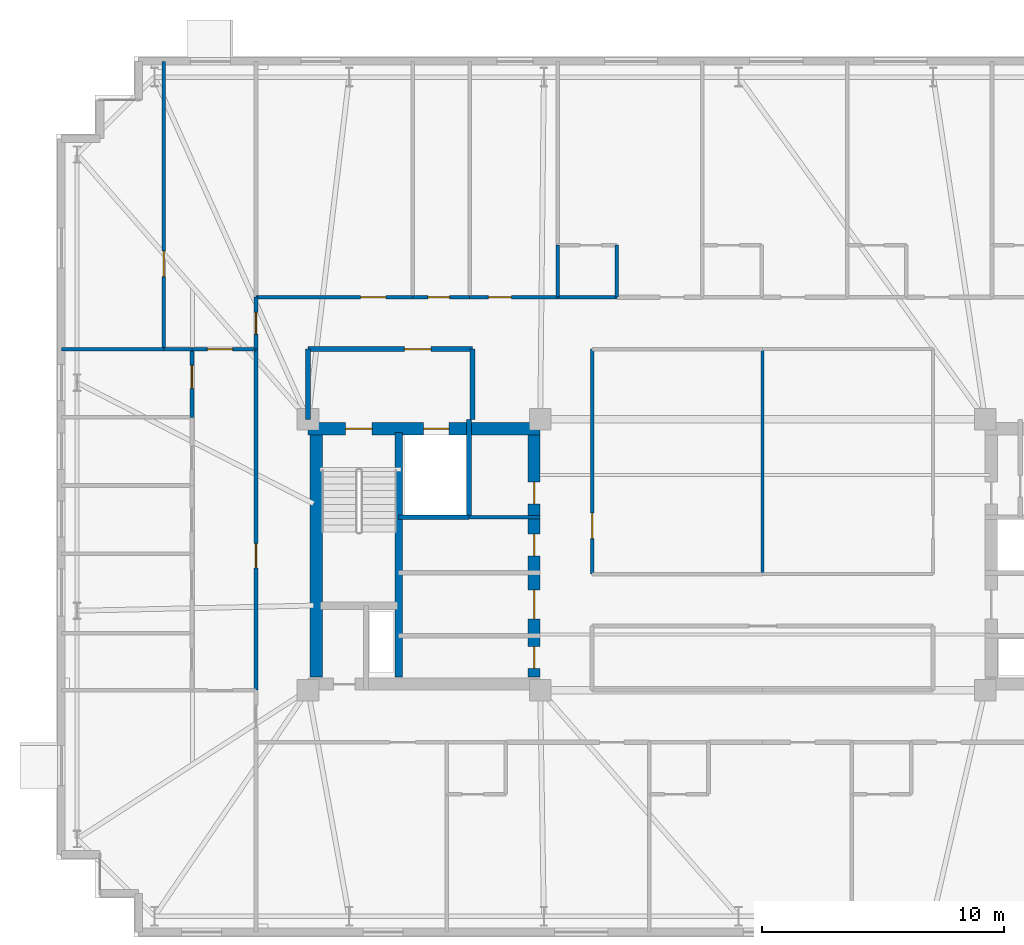
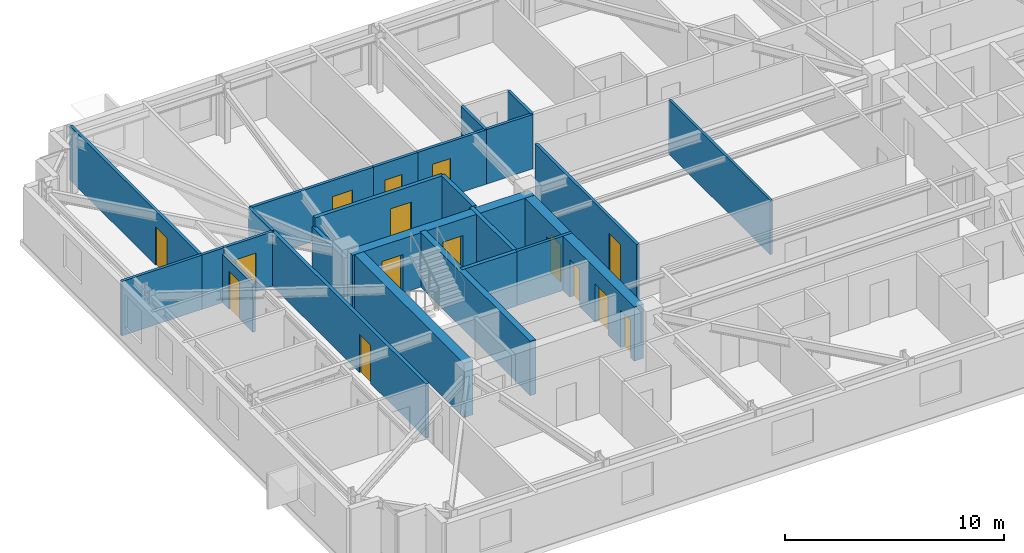
# One storey, part 12 of 19: 25 walls, 16 doors, 16 openings.
"""IFC4 building model written with IfcOpenShell, lengths in metres."""

from ifc_helpers import new_model, si_unit, direction, frame, frame_2d, origin, place, context, subcontext, project, spatial, rectangle, extrude, material, layer, layer_set, type_object, element, fill, save


model = new_model("IFC4")

# Units and contexts
model_context = context("Model", 3, precision=1e-05, world=origin(), true_north=direction((0.0, 1.0)))
body_context = subcontext(model_context, "Body", "Model", "MODEL_VIEW")
ifc_project = project(units=[si_unit("LENGTHUNIT", "METRE"), si_unit("AREAUNIT", "SQUARE_METRE"), si_unit("VOLUMEUNIT", "CUBIC_METRE"), si_unit("PLANEANGLEUNIT", "RADIAN"), si_unit("MASSUNIT", "GRAM", prefix="KILO")], contexts=[model_context])

# Site, building, storey
site_placement = place(None, origin())
site = spatial("IfcSite", under=ifc_project, at=site_placement, CompositionType="ELEMENT")
building_placement = place(site_placement, origin())
building = spatial("IfcBuilding", under=site, at=building_placement, Name="Qobustan Lattice House", CompositionType="ELEMENT")
storey_placement = place(building_placement, frame((0.0, 0.0, 137.699951171875)))
storey = spatial("IfcBuildingStorey", under=building, at=storey_placement, Name="L38", CompositionType="ELEMENT", Elevation=137.699951171875)

# Wall, openings, doors
ifc_material_1 = material(Name="Concrete C50/60", Category="concrete")
ifc_layer_1 = layer(ifc_material_1, 0.5)
ifc_layer_set_1 = layer_set([ifc_layer_1], Name="Concrete C50/60")
wall_type_1 = type_object("IfcWallType", Name="WAL-CORE-500", PredefinedType="SHEAR", material=ifc_layer_set_1)
wall_1_placement = place(storey_placement, frame((-18.800048828125, 5.2099609375, 0.0), z_axis=(0.0, 0.0, 1.0), x_axis=(1.0, 0.0, 0.0)))
wall_1 = element("IfcWall", 1, at=wall_1_placement, inside=storey, type_object=wall_type_1, Name="L38 split-core shear wall CW-N", PredefinedType="SHEAR", context=body_context, shape_type="SweptSolid", body=[
    extrude(rectangle(XDim=9.60009765625, YDim=0.5, at=frame_2d((4.800048828125, 0.0))), origin(), (0.0, 0.0, 1.0), 3.0400390625),
])
opening_1_placement = place(wall_1_placement, frame((1.550048828125, 0.0, 0.0)))
opening_1 = element("IfcOpeningElement", 2, at=opening_1_placement, cuts=wall_1, Name="Opening SD-01", PredefinedType="OPENING", context=body_context, shape_type="SweptSolid", body=[
    extrude(rectangle(XDim=1.10009765625, YDim=2.14990234375, at=frame_2d((0.550048828125, 1.074951171875))), frame((0.0, 0.260009765625, 0.0), z_axis=(0.0, -1.0, 0.0), x_axis=(1.0, 0.0, 0.0)), (0.0, 0.0, 1.0), 0.52001953125),
])
opening_2_placement = place(wall_1_placement, frame((4.77490234375, 0.0, 0.0)))
opening_2 = element("IfcOpeningElement", 3, at=opening_2_placement, cuts=wall_1, Name="Opening LD-01", PredefinedType="OPENING", context=body_context, shape_type="SweptSolid", body=[
    extrude(rectangle(XDim=1.050048828125, YDim=2.10009765625, at=frame_2d((0.52490234375, 1.050048828125))), frame((0.0, 0.260009765625, 0.0), z_axis=(0.0, -1.0, 0.0), x_axis=(1.0, 0.0, 0.0)), (0.0, 0.0, 1.0), 0.52001953125),
])
ifc_material_2 = material(Name="Persian walnut timber and steel frame door", Category="steel")
door_type_1 = type_object("IfcDoorType", Name="DOR-LIFT-LD-1050x2100", OperationType="NOTDEFINED", PredefinedType="DOOR", material=ifc_material_2)
door_1_placement = place(opening_2_placement, origin())
door_1 = element("IfcDoor", 4, at=door_1_placement, inside=storey, type_object=door_type_1, Name="L38 firefighting lift FF-W landing door", OperationType="DOUBLE_DOOR_SLIDING", OverallHeight=2.10009765625, OverallWidth=1.050048828125, PredefinedType="DOOR", context=body_context, shape_type="SweptSolid", body=[
    extrude(rectangle(XDim=1.050048828125, YDim=2.10009765625, at=frame_2d((0.52490234375, 1.050048828125))), frame((0.0, 0.02490234375, 0.0), z_axis=(0.0, -1.0, 0.0), x_axis=(1.0, 0.0, 0.0)), (0.0, 0.0, 1.0), 0.050048828125),
])
fill(opening_2, door_1)
ifc_material_3 = material(Name="Persian walnut timber and steel frame door", Category="steel")
door_type_2 = type_object("IfcDoorType", Name="DOR-STAIR-FD-1100x2150", OperationType="NOTDEFINED", PredefinedType="DOOR", material=ifc_material_3)
door_2_placement = place(opening_1_placement, origin())
door_2 = element("IfcDoor", 5, at=door_2_placement, inside=storey, type_object=door_type_2, Name="L38 exit stair ST-W1 fire door", OperationType="SINGLE_SWING_LEFT", OverallHeight=2.14990234375, OverallWidth=1.10009765625, PredefinedType="DOOR", context=body_context, shape_type="SweptSolid", body=[
    extrude(rectangle(XDim=1.10009765625, YDim=2.14990234375, at=frame_2d((0.550048828125, 1.074951171875))), frame((0.0, 0.02490234375, 0.0), z_axis=(0.0, -1.0, 0.0), x_axis=(1.0, 0.0, 0.0)), (0.0, 0.0, 1.0), 0.050048828125),
])
fill(opening_1, door_2)

# Wall
wall_2_placement = place(storey_placement, frame((-18.4599609375, -5.050048828125, 0.0), z_axis=(0.0, 0.0, 1.0), x_axis=(0.0, 1.0, 0.0)))
element("IfcWall", 6, at=wall_2_placement, inside=storey, type_object=wall_type_1, Name="L38 split-core shear wall CW-W", PredefinedType="SHEAR", context=body_context, shape_type="SweptSolid", body=[
    extrude(rectangle(XDim=10.10009765625, YDim=0.5, at=frame_2d((5.050048828125, 0.0))), origin(), (0.0, 0.0, 1.0), 3.0400390625),
])

# Wall, openings, doors
wall_3_placement = place(storey_placement, frame((-9.449951171875, -5.050048828125, 0.0), z_axis=(0.0, 0.0, 1.0), x_axis=(0.0, 1.0, 0.0)))
wall_3 = element("IfcWall", 7, at=wall_3_placement, inside=storey, type_object=wall_type_1, Name="L38 split-core shear wall CW-E", PredefinedType="SHEAR", context=body_context, shape_type="SweptSolid", body=[
    extrude(rectangle(XDim=10.10009765625, YDim=0.5, at=frame_2d((5.050048828125, 0.0))), origin(), (0.0, 0.0, 1.0), 3.0400390625),
])
opening_3_placement = place(wall_3_placement, frame((7.14990234375, 0.0, 0.0)))
opening_3 = element("IfcOpeningElement", 8, at=opening_3_placement, cuts=wall_3, Name="Opening RD-01", PredefinedType="OPENING", context=body_context, shape_type="SweptSolid", body=[
    extrude(rectangle(XDim=0.89990234375, YDim=2.10009765625, at=frame_2d((0.449951171875, 1.050048828125))), frame((0.0, 0.260009765625, 0.0), z_axis=(0.0, -1.0, 0.0), x_axis=(1.0, 0.0, 0.0)), (0.0, 0.0, 1.0), 0.52001953125),
])
opening_4_placement = place(wall_3_placement, frame((2.39990234375, 0.0, 0.0)))
opening_4 = element("IfcOpeningElement", 9, at=opening_4_placement, cuts=wall_3, Name="Opening FD-01", PredefinedType="OPENING", context=body_context, shape_type="SweptSolid", body=[
    extrude(rectangle(XDim=1.199951171875, YDim=2.14990234375, at=frame_2d((0.60009765625, 1.074951171875))), frame((0.0, 0.260009765625, 0.0), z_axis=(0.0, -1.0, 0.0), x_axis=(1.0, 0.0, 0.0)), (0.0, 0.0, 1.0), 0.52001953125),
])
opening_5_placement = place(wall_3_placement, frame((0.35009765625, 0.0, 0.0)))
opening_5 = element("IfcOpeningElement", 10, at=opening_5_placement, cuts=wall_3, Name="Opening RD-01", PredefinedType="OPENING", context=body_context, shape_type="SweptSolid", body=[
    extrude(rectangle(XDim=0.89990234375, YDim=2.10009765625, at=frame_2d((0.449951171875, 1.050048828125))), frame((0.0, 0.260009765625, 0.0), z_axis=(0.0, -1.0, 0.0), x_axis=(1.0, 0.0, 0.0)), (0.0, 0.0, 1.0), 0.52001953125),
])
opening_6_placement = place(wall_3_placement, frame((5.0, 0.0, 0.0)))
opening_6 = element("IfcOpeningElement", 11, at=opening_6_placement, cuts=wall_3, Name="Opening RD-01", PredefinedType="OPENING", context=body_context, shape_type="SweptSolid", body=[
    extrude(rectangle(XDim=0.89990234375, YDim=2.10009765625, at=frame_2d((0.449951171875, 1.050048828125))), frame((0.0, 0.260009765625, 0.0), z_axis=(0.0, -1.0, 0.0), x_axis=(1.0, 0.0, 0.0)), (0.0, 0.0, 1.0), 0.52001953125),
])
ifc_material_4 = material(Name="Persian walnut timber and steel frame door", Category="steel")
door_type_3 = type_object("IfcDoorType", Name="DOR-LOBBY-FD-1200x2150", OperationType="NOTDEFINED", PredefinedType="DOOR", material=ifc_material_4)
door_3_placement = place(opening_4_placement, origin())
door_3 = element("IfcDoor", 12, at=door_3_placement, inside=storey, type_object=door_type_3, Name="L38 West core foyer fire door", OperationType="SINGLE_SWING_LEFT", OverallHeight=2.14990234375, OverallWidth=1.199951171875, PredefinedType="DOOR", context=body_context, shape_type="SweptSolid", body=[
    extrude(rectangle(XDim=1.199951171875, YDim=2.14990234375, at=frame_2d((0.60009765625, 1.074951171875))), frame((0.0, 0.02490234375, 0.0), z_axis=(0.0, -1.0, 0.0), x_axis=(1.0, 0.0, 0.0)), (0.0, 0.0, 1.0), 0.050048828125),
])
fill(opening_4, door_3)
ifc_material_5 = material(Name="Persian walnut timber and steel frame door", Category="steel")
door_type_4 = type_object("IfcDoorType", Name="DOR-RISER-FD-900x2100", OperationType="NOTDEFINED", PredefinedType="DOOR", material=ifc_material_5)
door_4_placement = place(opening_3_placement, origin())
door_4 = element("IfcDoor", 13, at=door_4_placement, inside=storey, type_object=door_type_4, Name="L38 Floor tea pantry fire door", OperationType="SINGLE_SWING_RIGHT", OverallHeight=2.10009765625, OverallWidth=0.89990234375, PredefinedType="DOOR", context=body_context, shape_type="SweptSolid", body=[
    extrude(rectangle(XDim=0.89990234375, YDim=2.10009765625, at=frame_2d((0.449951171875, 1.050048828125))), frame((0.0, 0.02490234375, 0.0), z_axis=(0.0, -1.0, 0.0), x_axis=(1.0, 0.0, 0.0)), (0.0, 0.0, 1.0), 0.050048828125),
])
fill(opening_3, door_4)
door_5_placement = place(opening_5_placement, origin())
door_5 = element("IfcDoor", 14, at=door_5_placement, inside=storey, type_object=door_type_4, Name="L38 Tutorial seminar salon fire door", OperationType="SINGLE_SWING_RIGHT", OverallHeight=2.10009765625, OverallWidth=0.89990234375, PredefinedType="DOOR", context=body_context, shape_type="SweptSolid", body=[
    extrude(rectangle(XDim=0.89990234375, YDim=2.10009765625, at=frame_2d((0.449951171875, 1.050048828125))), frame((0.0, 0.02490234375, 0.0), z_axis=(0.0, -1.0, 0.0), x_axis=(1.0, 0.0, 0.0)), (0.0, 0.0, 1.0), 0.050048828125),
])
fill(opening_5, door_5)
door_6_placement = place(opening_6_placement, origin())
door_6 = element("IfcDoor", 15, at=door_6_placement, inside=storey, type_object=door_type_4, Name="L38 Copy and tea hub fire door", OperationType="SINGLE_SWING_LEFT", OverallHeight=2.10009765625, OverallWidth=0.89990234375, PredefinedType="DOOR", context=body_context, shape_type="SweptSolid", body=[
    extrude(rectangle(XDim=0.89990234375, YDim=2.10009765625, at=frame_2d((0.449951171875, 1.050048828125))), frame((0.0, 0.02490234375, 0.0), z_axis=(0.0, -1.0, 0.0), x_axis=(1.0, 0.0, 0.0)), (0.0, 0.0, 1.0), 0.050048828125),
])
fill(opening_6, door_6)

# Wall
ifc_material_6 = material(Name="Concrete C50/60", Category="concrete")
ifc_layer_2 = layer(ifc_material_6, 0.280029296875)
ifc_layer_set_2 = layer_set([ifc_layer_2], Name="Concrete C50/60")
wall_type_2 = type_object("IfcWallType", Name="WAL-CORE-SPINE-280", PredefinedType="SHEAR", material=ifc_layer_set_2)
wall_4_placement = place(storey_placement, frame((-15.050048828125, -5.050048828125, 0.0), z_axis=(0.0, 0.0, 1.0), x_axis=(0.0, 1.0, 0.0)))
element("IfcWall", 16, at=wall_4_placement, inside=storey, type_object=wall_type_2, Name="L38 split-core shear wall CW-M", PredefinedType="SHEAR", context=body_context, shape_type="SweptSolid", body=[
    extrude(rectangle(XDim=10.10009765625, YDim=0.300048828125, at=frame_2d((5.050048828125, 0.0))), origin(), (0.0, 0.0, 1.0), 3.0400390625),
])

# Wall, opening, door
ifc_material_7 = material(Name="Gypsum fireboard acoustic partition", Category="gypsum")
ifc_layer_3 = layer(ifc_material_7, 0.179931640625)
ifc_layer_set_3 = layer_set([ifc_layer_3], Name="Gypsum fireboard acoustic partition")
wall_type_3 = type_object("IfcWallType", Name="WAL-FIRE-180", PredefinedType="PARTITIONING", material=ifc_layer_set_3)
wall_5_placement = place(storey_placement, frame((-20.949951171875, -5.60009765625, 0.0), z_axis=(0.0, 0.0, 1.0), x_axis=(0.0, 1.0, 0.0)))
wall_5 = element("IfcWall", 17, at=wall_5_placement, inside=storey, type_object=wall_type_3, Name="L38 interior partition 60", PredefinedType="PARTITIONING", context=body_context, shape_type="SweptSolid", body=[
    extrude(rectangle(XDim=14.10009765625, YDim=0.179931640625, at=frame_2d((7.050048828125, 0.0))), origin(), (0.0, 0.0, 1.0), 3.0400390625),
])
opening_7_placement = place(wall_5_placement, frame((5.0576171875, 0.0, 0.0)))
opening_7 = element("IfcOpeningElement", 18, at=opening_7_placement, cuts=wall_5, Name="Opening FD-02", PredefinedType="OPENING", context=body_context, shape_type="SweptSolid", body=[
    extrude(rectangle(XDim=1.0, YDim=2.14990234375, at=frame_2d((0.5, 1.074951171875))), frame((0.0, 0.099853515625, 0.0), z_axis=(0.0, -1.0, 0.0), x_axis=(1.0, 0.0, 0.0)), (0.0, 0.0, 1.0), 0.199951171875),
])
ifc_material_8 = material(Name="Persian walnut timber and steel frame door", Category="steel")
door_type_5 = type_object("IfcDoorType", Name="DOR-UNIT-FD-1000x2150", OperationType="NOTDEFINED", PredefinedType="DOOR", material=ifc_material_8)
door_7_placement = place(opening_7_placement, origin())
door_7 = element("IfcDoor", 19, at=door_7_placement, inside=storey, type_object=door_type_5, Name="L38 West wing spine gallery to Residence entrance hall L38W door", OperationType="SINGLE_SWING_LEFT", OverallHeight=2.14990234375, OverallWidth=1.0, PredefinedType="DOOR", context=body_context, shape_type="SweptSolid", body=[
    extrude(rectangle(XDim=1.0, YDim=2.14990234375, at=frame_2d((0.5, 1.074951171875))), frame((0.0, 0.02490234375, 0.0), z_axis=(0.0, -1.0, 0.0), x_axis=(1.0, 0.0, 0.0)), (0.0, 0.0, 1.0), 0.050048828125),
])
fill(opening_7, door_7)

# Walls
ifc_material_9 = material(Name="Lightweight acoustic stud partition", Category="gypsum")
ifc_layer_4 = layer(ifc_material_9, 0.125)
ifc_layer_set_4 = layer_set([ifc_layer_4], Name="Lightweight acoustic stud partition")
wall_type_4 = type_object("IfcWallType", Name="WAL-PART-125", PredefinedType="PARTITIONING", material=ifc_layer_set_4)
wall_6_placement = place(storey_placement, frame((0.0, 8.5, 0.0), z_axis=(0.0, 0.0, 1.0), x_axis=(0.0, -1.0, 0.0)))
element("IfcWall", 20, at=wall_6_placement, inside=storey, type_object=wall_type_4, Name="L38 interior partition 133", PredefinedType="PARTITIONING", context=body_context, shape_type="SweptSolid", body=[
    extrude(rectangle(XDim=9.300048828125, YDim=0.125, at=frame_2d((4.64990234375, 0.0))), origin(), (0.0, 0.0, 1.0), 3.0400390625),
])
ifc_material_10 = material(Name="Acoustic twin-stud gypsum partition", Category="gypsum")
ifc_layer_5 = layer(ifc_material_10, 0.14990234375)
ifc_layer_set_5 = layer_set([ifc_layer_5], Name="Acoustic twin-stud gypsum partition")
wall_type_5 = type_object("IfcWallType", Name="WAL-PART-150", PredefinedType="PARTITIONING", material=ifc_layer_set_5)
wall_7_placement = place(storey_placement, frame((-12.14990234375, 1.550048828125, 0.0), z_axis=(0.0, 0.0, 1.0), x_axis=(1.0, 0.0, 0.0)))
element("IfcWall", 21, at=wall_7_placement, inside=storey, type_object=wall_type_5, Name="L38 interior partition 6", PredefinedType="PARTITIONING", context=body_context, shape_type="SweptSolid", body=[
    extrude(rectangle(XDim=2.949951171875, YDim=0.14990234375, at=frame_2d((1.47509765625, 0.0))), origin(), (0.0, 0.0, 1.0), 3.0400390625),
])

# Wall, opening, door
wall_8_placement = place(storey_placement, frame((-20.949951171875, 8.5, 0.0), z_axis=(0.0, 0.0, 1.0), x_axis=(0.0, 1.0, 0.0)))
wall_8 = element("IfcWall", 22, at=wall_8_placement, inside=storey, type_object=wall_type_5, Name="L38 interior partition 31", PredefinedType="PARTITIONING", context=body_context, shape_type="SweptSolid", body=[
    extrude(rectangle(XDim=2.14990234375, YDim=0.14990234375, at=frame_2d((1.074951171875, 0.0))), origin(), (0.0, 0.0, 1.0), 3.0400390625),
])
opening_8_placement = place(wall_8_placement, frame((0.625, 0.0, 0.0)))
opening_8 = element("IfcOpeningElement", 23, at=opening_8_placement, cuts=wall_8, Name="Opening WD-01", PredefinedType="OPENING", context=body_context, shape_type="SweptSolid", body=[
    extrude(rectangle(XDim=0.89990234375, YDim=2.10009765625, at=frame_2d((0.449951171875, 1.050048828125))), frame((0.0, 0.0849609375, 0.0), z_axis=(0.0, -1.0, 0.0), x_axis=(1.0, 0.0, 0.0)), (0.0, 0.0, 1.0), 0.169921875),
])
ifc_material_11 = material(Name="Persian walnut timber and steel frame door", Category="steel")
door_type_6 = type_object("IfcDoorType", Name="DOR-WET-900x2100", OperationType="NOTDEFINED", PredefinedType="DOOR", material=ifc_material_11)
door_8_placement = place(opening_8_placement, origin())
door_8 = element("IfcDoor", 24, at=door_8_placement, inside=storey, type_object=door_type_6, Name="L38 North-west floor corridor to Reading seminar room L38WN door", OperationType="SINGLE_SWING_RIGHT", OverallHeight=2.10009765625, OverallWidth=0.89990234375, PredefinedType="DOOR", context=body_context, shape_type="SweptSolid", body=[
    extrude(rectangle(XDim=0.89990234375, YDim=2.10009765625, at=frame_2d((0.449951171875, 1.050048828125))), frame((0.0, 0.02490234375, 0.0), z_axis=(0.0, -1.0, 0.0), x_axis=(1.0, 0.0, 0.0)), (0.0, 0.0, 1.0), 0.050048828125),
])
fill(opening_8, door_8)

wall_9_placement = place(storey_placement, frame((-20.949951171875, 10.64990234375, 0.0), z_axis=(0.0, 0.0, 1.0), x_axis=(1.0, 0.0, 0.0)))
wall_9 = element("IfcWall", 25, at=wall_9_placement, inside=storey, type_object=wall_type_5, Name="L38 interior partition 32", PredefinedType="PARTITIONING", context=body_context, shape_type="SweptSolid", body=[
    extrude(rectangle(XDim=6.48583984375, YDim=0.14990234375, at=frame_2d((3.242919921875, 0.0))), origin(), (0.0, 0.0, 1.0), 3.0400390625),
])
opening_9_placement = place(wall_9_placement, frame((4.321533203125, 0.0, 0.0)))
opening_9 = element("IfcOpeningElement", 26, at=opening_9_placement, cuts=wall_9, Name="Opening ID-02", PredefinedType="OPENING", context=body_context, shape_type="SweptSolid", body=[
    extrude(rectangle(XDim=1.050048828125, YDim=2.14990234375, at=frame_2d((0.52490234375, 1.074951171875))), frame((0.0, 0.0849609375, 0.0), z_axis=(0.0, -1.0, 0.0), x_axis=(1.0, 0.0, 0.0)), (0.0, 0.0, 1.0), 0.169921875),
])
ifc_material_12 = material(Name="Persian walnut timber and steel frame door", Category="steel")
door_type_7 = type_object("IfcDoorType", Name="DOR-STUDY-1050x2150", OperationType="NOTDEFINED", PredefinedType="DOOR", material=ifc_material_12)
door_9_placement = place(opening_9_placement, origin())
door_9 = element("IfcDoor", 27, at=door_9_placement, inside=storey, type_object=door_type_7, Name="L38 North-west floor corridor to Focus study room N1 door", OperationType="SINGLE_SWING_LEFT", OverallHeight=2.14990234375, OverallWidth=1.050048828125, PredefinedType="DOOR", context=body_context, shape_type="SweptSolid", body=[
    extrude(rectangle(XDim=1.050048828125, YDim=2.14990234375, at=frame_2d((0.52490234375, 1.074951171875))), frame((0.0, 0.02490234375, 0.0), z_axis=(0.0, -1.0, 0.0), x_axis=(1.0, 0.0, 0.0)), (0.0, 0.0, 1.0), 0.050048828125),
])
fill(opening_9, door_9)

wall_10_placement = place(storey_placement, frame((-12.114013671875, 10.64990234375, 0.0), z_axis=(0.0, 0.0, 1.0), x_axis=(1.0, 0.0, 0.0)))
wall_10 = element("IfcWall", 28, at=wall_10_placement, inside=storey, type_object=wall_type_5, Name="L38 interior partition 34", PredefinedType="PARTITIONING", context=body_context, shape_type="SweptSolid", body=[
    extrude(rectangle(XDim=3.635009765625, YDim=0.14990234375, at=frame_2d((1.8173828125, 0.0))), origin(), (0.0, 0.0, 1.0), 3.0400390625),
])
opening_10_placement = place(wall_10_placement, frame((0.7705078125, 0.0, 0.0)))
opening_10 = element("IfcOpeningElement", 29, at=opening_10_placement, cuts=wall_10, Name="Opening ID-01", PredefinedType="OPENING", context=body_context, shape_type="SweptSolid", body=[
    extrude(rectangle(XDim=0.949951171875, YDim=2.10009765625, at=frame_2d((0.47509765625, 1.050048828125))), frame((0.0, 0.0849609375, 0.0), z_axis=(0.0, -1.0, 0.0), x_axis=(1.0, 0.0, 0.0)), (0.0, 0.0, 1.0), 0.169921875),
])
ifc_material_13 = material(Name="Persian walnut timber and steel frame door", Category="steel")
door_type_8 = type_object("IfcDoorType", Name="DOR-ROOM-950x2100", OperationType="NOTDEFINED", PredefinedType="DOOR", material=ifc_material_13)
door_10_placement = place(opening_10_placement, origin())
door_10 = element("IfcDoor", 30, at=door_10_placement, inside=storey, type_object=door_type_8, Name="L38 North-west floor corridor to Laundry utility room door", OperationType="SINGLE_SWING_LEFT", OverallHeight=2.10009765625, OverallWidth=0.949951171875, PredefinedType="DOOR", context=body_context, shape_type="SweptSolid", body=[
    extrude(rectangle(XDim=0.949951171875, YDim=2.10009765625, at=frame_2d((0.47509765625, 1.050048828125))), frame((0.0, 0.02490234375, 0.0), z_axis=(0.0, -1.0, 0.0), x_axis=(1.0, 0.0, 0.0)), (0.0, 0.0, 1.0), 0.050048828125),
])
fill(opening_10, door_10)

wall_11_placement = place(storey_placement, frame((-7.050048828125, 8.5, 0.0), z_axis=(0.0, 0.0, 1.0), x_axis=(0.0, -1.0, 0.0)))
wall_11 = element("IfcWall", 31, at=wall_11_placement, inside=storey, type_object=wall_type_5, Name="L38 interior partition 65", PredefinedType="PARTITIONING", context=body_context, shape_type="SweptSolid", body=[
    extrude(rectangle(XDim=9.300048828125, YDim=0.14990234375, at=frame_2d((4.64990234375, 0.0))), origin(), (0.0, 0.0, 1.0), 3.0400390625),
])
opening_11_placement = place(wall_11_placement, frame((6.78369140625, 0.0, 0.0)))
opening_11 = element("IfcOpeningElement", 32, at=opening_11_placement, cuts=wall_11, Name="Opening ID-02", PredefinedType="OPENING", context=body_context, shape_type="SweptSolid", body=[
    extrude(rectangle(XDim=1.050048828125, YDim=2.14990234375, at=frame_2d((0.52490234375, 1.074951171875))), frame((0.0, 0.0849609375, 0.0), z_axis=(0.0, -1.0, 0.0), x_axis=(1.0, 0.0, 0.0)), (0.0, 0.0, 1.0), 0.169921875),
])
door_11_placement = place(opening_11_placement, origin())
door_11 = element("IfcDoor", 33, at=door_11_placement, inside=storey, type_object=door_type_7, Name="L38 West floor link corridor to Central study commons door", OperationType="SINGLE_SWING_RIGHT", OverallHeight=2.14990234375, OverallWidth=1.050048828125, PredefinedType="DOOR", context=body_context, shape_type="SweptSolid", body=[
    extrude(rectangle(XDim=1.050048828125, YDim=2.14990234375, at=frame_2d((0.52490234375, 1.074951171875))), frame((0.0, 0.02490234375, 0.0), z_axis=(0.0, -1.0, 0.0), x_axis=(1.0, 0.0, 0.0)), (0.0, 0.0, 1.0), 0.050048828125),
])
fill(opening_11, door_11)

wall_12_placement = place(storey_placement, frame((-23.60009765625, 8.5, 0.0), z_axis=(0.0, 0.0, 1.0), x_axis=(1.0, 0.0, 0.0)))
wall_12 = element("IfcWall", 34, at=wall_12_placement, inside=storey, type_object=wall_type_5, Name="L38 interior partition 69", PredefinedType="PARTITIONING", context=body_context, shape_type="SweptSolid", body=[
    extrude(rectangle(XDim=2.650146484375, YDim=0.14990234375, at=frame_2d((1.3251953125, 0.0))), origin(), (0.0, 0.0, 1.0), 3.0400390625),
])
opening_12_placement = place(wall_12_placement, frame((0.635009765625, 0.0, 0.0)))
opening_12 = element("IfcOpeningElement", 35, at=opening_12_placement, cuts=wall_12, Name="Opening ID-02", PredefinedType="OPENING", context=body_context, shape_type="SweptSolid", body=[
    extrude(rectangle(XDim=1.050048828125, YDim=2.14990234375, at=frame_2d((0.52490234375, 1.074951171875))), frame((0.0, 0.0849609375, 0.0), z_axis=(0.0, -1.0, 0.0), x_axis=(1.0, 0.0, 0.0)), (0.0, 0.0, 1.0), 0.169921875),
])
door_12_placement = place(opening_12_placement, origin())
door_12 = element("IfcDoor", 36, at=door_12_placement, inside=storey, type_object=door_type_7, Name="L38 Residence entrance hall L38W to Reading seminar room L38WN door", OperationType="SINGLE_SWING_RIGHT", OverallHeight=2.14990234375, OverallWidth=1.050048828125, PredefinedType="DOOR", context=body_context, shape_type="SweptSolid", body=[
    extrude(rectangle(XDim=1.050048828125, YDim=2.14990234375, at=frame_2d((0.52490234375, 1.074951171875))), frame((0.0, 0.02490234375, 0.0), z_axis=(0.0, -1.0, 0.0), x_axis=(1.0, 0.0, 0.0)), (0.0, 0.0, 1.0), 0.050048828125),
])
fill(opening_12, door_12)

wall_13_placement = place(storey_placement, frame((-23.60009765625, 5.679931640625, 0.0), z_axis=(0.0, 0.0, 1.0), x_axis=(0.0, 1.0, 0.0)))
wall_13 = element("IfcWall", 37, at=wall_13_placement, inside=storey, type_object=wall_type_5, Name="L38 interior partition 75", PredefinedType="PARTITIONING", context=body_context, shape_type="SweptSolid", body=[
    extrude(rectangle(XDim=2.820068359375, YDim=0.14990234375, at=frame_2d((1.41015625, 0.0))), origin(), (0.0, 0.0, 1.0), 2.695068359375),
])
opening_13_placement = place(wall_13_placement, frame((1.201171875, 0.0, 0.0)))
opening_13 = element("IfcOpeningElement", 38, at=opening_13_placement, cuts=wall_13, Name="Opening ID-01", PredefinedType="OPENING", context=body_context, shape_type="SweptSolid", body=[
    extrude(rectangle(XDim=0.949951171875, YDim=2.10009765625, at=frame_2d((0.47509765625, 1.050048828125))), frame((0.0, 0.0849609375, 0.0), z_axis=(0.0, -1.0, 0.0), x_axis=(1.0, 0.0, 0.0)), (0.0, 0.0, 1.0), 0.169921875),
])
door_13_placement = place(opening_13_placement, origin())
door_13 = element("IfcDoor", 39, at=door_13_placement, inside=storey, type_object=door_type_8, Name="L38 Residence entrance hall L38W to Cluster bedroom L38W3 door", OperationType="SINGLE_SWING_RIGHT", OverallHeight=2.10009765625, OverallWidth=0.949951171875, PredefinedType="DOOR", context=body_context, shape_type="SweptSolid", body=[
    extrude(rectangle(XDim=0.949951171875, YDim=2.10009765625, at=frame_2d((0.47509765625, 1.050048828125))), frame((0.0, 0.02490234375, 0.0), z_axis=(0.0, -1.0, 0.0), x_axis=(1.0, 0.0, 0.0)), (0.0, 0.0, 1.0), 0.050048828125),
])
fill(opening_13, door_13)

wall_14_placement = place(storey_placement, frame((-24.764892578125, 8.5, 0.0), z_axis=(0.0, 0.0, 1.0), x_axis=(0.0, 1.0, 0.0)))
wall_14 = element("IfcWall", 40, at=wall_14_placement, inside=storey, type_object=wall_type_5, Name="L38 interior partition 76", PredefinedType="PARTITIONING", context=body_context, shape_type="SweptSolid", body=[
    extrude(rectangle(XDim=11.89990234375, YDim=0.14990234375, at=frame_2d((5.949951171875, 0.0))), origin(), (0.0, 0.0, 1.0), 3.0400390625),
])
opening_14_placement = place(wall_14_placement, frame((3.00244140625, 0.0, 0.0)))
opening_14 = element("IfcOpeningElement", 41, at=opening_14_placement, cuts=wall_14, Name="Opening ID-02", PredefinedType="OPENING", context=body_context, shape_type="SweptSolid", body=[
    extrude(rectangle(XDim=1.050048828125, YDim=2.14990234375, at=frame_2d((0.52490234375, 1.074951171875))), frame((0.0, 0.0849609375, 0.0), z_axis=(0.0, -1.0, 0.0), x_axis=(1.0, 0.0, 0.0)), (0.0, 0.0, 1.0), 0.169921875),
])
door_14_placement = place(opening_14_placement, origin())
door_14 = element("IfcDoor", 42, at=door_14_placement, inside=storey, type_object=door_type_7, Name="L38 Reading seminar room L38WN to Collaborative study room L38WN door", OperationType="SINGLE_SWING_LEFT", OverallHeight=2.14990234375, OverallWidth=1.050048828125, PredefinedType="DOOR", context=body_context, shape_type="SweptSolid", body=[
    extrude(rectangle(XDim=1.050048828125, YDim=2.14990234375, at=frame_2d((0.52490234375, 1.074951171875))), frame((0.0, 0.02490234375, 0.0), z_axis=(0.0, -1.0, 0.0), x_axis=(1.0, 0.0, 0.0)), (0.0, 0.0, 1.0), 0.050048828125),
])
fill(opening_14, door_14)

# Walls
wall_15_placement = place(storey_placement, frame((-23.60009765625, 8.5, 0.0), z_axis=(0.0, 0.0, 1.0), x_axis=(-1.0, 0.0, 0.0)))
element("IfcWall", 43, at=wall_15_placement, inside=storey, type_object=wall_type_5, Name="L38 interior partition 77", PredefinedType="PARTITIONING", context=body_context, shape_type="SweptSolid", body=[
    extrude(rectangle(XDim=1.164794921875, YDim=0.14990234375, at=frame_2d((0.58251953125, 0.0))), origin(), (0.0, 0.0, 1.0), 3.0400390625),
])
wall_16_placement = place(storey_placement, frame((-24.764892578125, 8.5, 0.0), z_axis=(0.0, 0.0, 1.0), x_axis=(-1.0, 0.0, 0.0)))
element("IfcWall", 44, at=wall_16_placement, inside=storey, type_object=wall_type_5, Name="L38 interior partition 79", PredefinedType="PARTITIONING", context=body_context, shape_type="SweptSolid", body=[
    extrude(rectangle(XDim=4.235107421875, YDim=0.14990234375, at=frame_2d((2.11767578125, 0.0))), origin(), (0.0, 0.0, 1.0), 3.0400390625),
])

# Wall, opening, door
ifc_material_14 = material(Name="Two-hour gypsum fireboard acoustic partition", Category="gypsum")
ifc_layer_6 = layer(ifc_material_14, 0.199951171875)
ifc_layer_set_6 = layer_set([ifc_layer_6], Name="Two-hour gypsum fireboard acoustic partition")
wall_type_6 = type_object("IfcWallType", Name="WAL-PROT-200", PredefinedType="PARTITIONING", material=ifc_layer_set_6)
wall_17_placement = place(storey_placement, frame((-12.0, 8.5, 0.0), z_axis=(0.0, 0.0, 1.0), x_axis=(-1.0, 0.0, 0.0)))
wall_17 = element("IfcWall", 45, at=wall_17_placement, inside=storey, type_object=wall_type_6, Name="L38 interior partition 3", PredefinedType="PARTITIONING", context=body_context, shape_type="SweptSolid", body=[
    extrude(rectangle(XDim=6.800048828125, YDim=0.199951171875, at=frame_2d((3.39990234375, 0.0))), origin(), (0.0, 0.0, 1.0), 3.0400390625),
])
opening_15_placement = place(wall_17_placement, frame((1.715087890625, 0.0, 0.0)))
opening_15 = element("IfcOpeningElement", 46, at=opening_15_placement, cuts=wall_17, Name="Opening SD-01", PredefinedType="OPENING", context=body_context, shape_type="SweptSolid", body=[
    extrude(rectangle(XDim=1.10009765625, YDim=2.14990234375, at=frame_2d((0.550048828125, 1.074951171875))), frame((0.0, 0.10986328125, 0.0), z_axis=(0.0, -1.0, 0.0), x_axis=(1.0, 0.0, 0.0)), (0.0, 0.0, 1.0), 0.219970703125),
])
door_15_placement = place(opening_15_placement, origin())
door_15 = element("IfcDoor", 47, at=door_15_placement, inside=storey, type_object=door_type_2, Name="L38 West firefighting lift lobby to North-west floor corridor door", OperationType="SINGLE_SWING_LEFT", OverallHeight=2.14990234375, OverallWidth=1.10009765625, PredefinedType="DOOR", context=body_context, shape_type="SweptSolid", body=[
    extrude(rectangle(XDim=1.10009765625, YDim=2.14990234375, at=frame_2d((0.550048828125, 1.074951171875))), frame((0.0, 0.02490234375, 0.0), z_axis=(0.0, -1.0, 0.0), x_axis=(1.0, 0.0, 0.0)), (0.0, 0.0, 1.0), 0.050048828125),
])
fill(opening_15, door_15)

# Walls
wall_18_placement = place(storey_placement, frame((-18.800048828125, 8.5, 0.0), z_axis=(0.0, 0.0, 1.0), x_axis=(0.0, -1.0, 0.0)))
element("IfcWall", 48, at=wall_18_placement, inside=storey, type_object=wall_type_6, Name="L38 interior partition 4", PredefinedType="PARTITIONING", context=body_context, shape_type="SweptSolid", body=[
    extrude(rectangle(XDim=2.89990234375, YDim=0.199951171875, at=frame_2d((1.449951171875, 0.0))), origin(), (0.0, 0.0, 1.0), 2.525146484375),
])
wall_19_placement = place(storey_placement, frame((-12.0, 5.60009765625, 0.0), z_axis=(0.0, 0.0, 1.0), x_axis=(0.0, 1.0, 0.0)))
element("IfcWall", 49, at=wall_19_placement, inside=storey, type_object=wall_type_6, Name="L38 interior partition 5", PredefinedType="PARTITIONING", context=body_context, shape_type="SweptSolid", body=[
    extrude(rectangle(XDim=2.89990234375, YDim=0.199951171875, at=frame_2d((1.449951171875, 0.0))), origin(), (0.0, 0.0, 1.0), 3.0400390625),
])
ifc_material_15 = material(Name="Concrete C40/50", Category="concrete")
ifc_layer_7 = layer(ifc_material_15, 0.199951171875)
ifc_layer_set_7 = layer_set([ifc_layer_7], Name="Concrete C40/50")
wall_type_7 = type_object("IfcWallType", Name="WAL-SHAFT-200", PredefinedType="PARTITIONING", material=ifc_layer_set_7)
wall_20_placement = place(storey_placement, frame((-12.14990234375, 1.550048828125, 0.0), z_axis=(0.0, 0.0, 1.0), x_axis=(0.0, 1.0, 0.0)))
element("IfcWall", 50, at=wall_20_placement, inside=storey, type_object=wall_type_7, Name="L38 interior partition 2", PredefinedType="PARTITIONING", context=body_context, shape_type="SweptSolid", body=[
    extrude(rectangle(XDim=4.050048828125, YDim=0.199951171875, at=frame_2d((2.02490234375, 0.0))), origin(), (0.0, 0.0, 1.0), 3.0400390625),
])
wall_21_placement = place(storey_placement, frame((-15.050048828125, 1.550048828125, 0.0), z_axis=(0.0, 0.0, 1.0), x_axis=(1.0, 0.0, 0.0)))
element("IfcWall", 51, at=wall_21_placement, inside=storey, type_object=wall_type_7, Name="L38 interior partition 134", PredefinedType="PARTITIONING", context=body_context, shape_type="SweptSolid", body=[
    extrude(rectangle(XDim=2.900146484375, YDim=0.199951171875, at=frame_2d((1.4501953125, 0.0))), origin(), (0.0, 0.0, 1.0), 3.0400390625),
])

# Wall, opening, door
ifc_material_16 = material(Name="Moisture-resistant acoustic plumbing wall", Category="gypsum")
ifc_layer_8 = layer(ifc_material_16, 0.14990234375)
ifc_layer_set_8 = layer_set([ifc_layer_8], Name="Moisture-resistant acoustic plumbing wall")
wall_type_8 = type_object("IfcWallType", Name="WAL-WET-150", PredefinedType="PLUMBINGWALL", material=ifc_layer_set_8)
wall_22_placement = place(storey_placement, frame((-14.464111328125, 10.64990234375, 0.0), z_axis=(0.0, 0.0, 1.0), x_axis=(1.0, 0.0, 0.0)))
wall_22 = element("IfcWall", 52, at=wall_22_placement, inside=storey, type_object=wall_type_8, Name="L38 interior partition 33", PredefinedType="PLUMBINGWALL", context=body_context, shape_type="SweptSolid", body=[
    extrude(rectangle(XDim=2.35009765625, YDim=0.14990234375, at=frame_2d((1.175048828125, 0.0))), origin(), (0.0, 0.0, 1.0), 3.0400390625),
])
opening_16_placement = place(wall_22_placement, frame((0.6162109375, 0.0, 0.0)))
opening_16 = element("IfcOpeningElement", 53, at=opening_16_placement, cuts=wall_22, Name="Opening WD-01", PredefinedType="OPENING", context=body_context, shape_type="SweptSolid", body=[
    extrude(rectangle(XDim=0.89990234375, YDim=2.10009765625, at=frame_2d((0.449951171875, 1.050048828125))), frame((0.0, 0.0849609375, 0.0), z_axis=(0.0, -1.0, 0.0), x_axis=(1.0, 0.0, 0.0)), (0.0, 0.0, 1.0), 0.169921875),
])
door_16_placement = place(opening_16_placement, origin())
door_16 = element("IfcDoor", 54, at=door_16_placement, inside=storey, type_object=door_type_6, Name="L38 North-west floor corridor to Accessible WC door", OperationType="SINGLE_SWING_RIGHT", OverallHeight=2.10009765625, OverallWidth=0.89990234375, PredefinedType="DOOR", context=body_context, shape_type="SweptSolid", body=[
    extrude(rectangle(XDim=0.89990234375, YDim=2.10009765625, at=frame_2d((0.449951171875, 1.050048828125))), frame((0.0, 0.02490234375, 0.0), z_axis=(0.0, -1.0, 0.0), x_axis=(1.0, 0.0, 0.0)), (0.0, 0.0, 1.0), 0.050048828125),
])
fill(opening_16, door_16)

# Walls
wall_23_placement = place(storey_placement, frame((-8.47900390625, 10.64990234375, 0.0), z_axis=(0.0, 0.0, 1.0), x_axis=(1.0, 0.0, 0.0)))
element("IfcWall", 55, at=wall_23_placement, inside=storey, type_object=wall_type_8, Name="L38 interior partition 36", PredefinedType="PLUMBINGWALL", context=body_context, shape_type="SweptSolid", body=[
    extrude(rectangle(XDim=2.449951171875, YDim=0.14990234375, at=frame_2d((1.22509765625, 0.0))), origin(), (0.0, 0.0, 1.0), 3.0400390625),
])
for number, where, z_axis, x_axis, name in (
    (56, (-8.47900390625, 12.800048828125, 0.0), (0.0, 0.0, 1.0), (0.0, -1.0, 0.0), "L38 interior partition 104"),
    (57, (-6.029052734375, 10.64990234375, 0.0), (0.0, 0.0, 1.0), (0.0, 1.0, 0.0), "L38 interior partition 106"),
):
    element("IfcWall", number, at=place(storey_placement, frame(where, z_axis=z_axis, x_axis=x_axis)), inside=storey, type_object=wall_type_8, Name=name, PredefinedType="PLUMBINGWALL", context=body_context, shape_type="SweptSolid", body=[
        extrude(rectangle(XDim=2.150146484375, YDim=0.14990234375, at=frame_2d((1.0751953125, 0.0))), origin(), (0.0, 0.0, 1.0), 3.0400390625),
    ])

save(model, "model.ifc")
